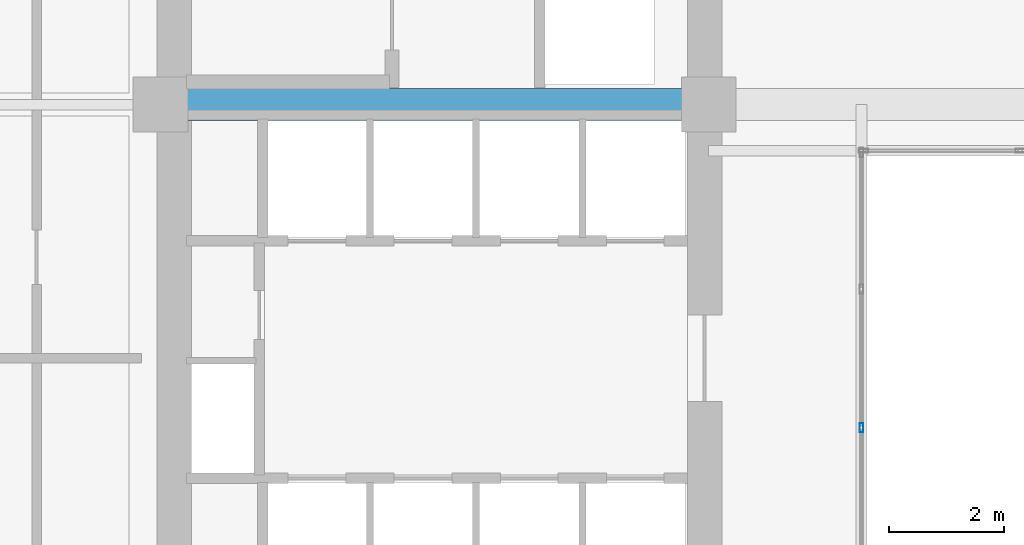
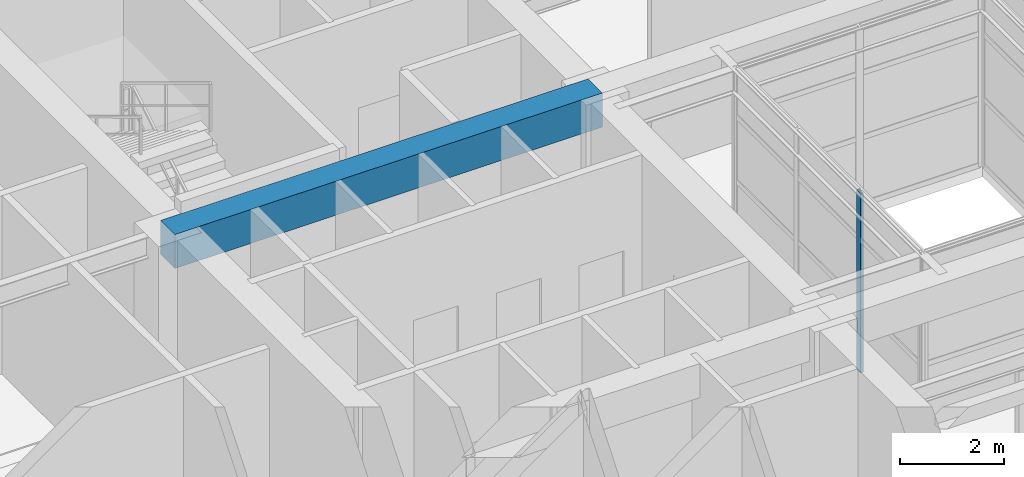
# One storey, part 3 of 13: 1 beam, 1 member, 1 element without a shape of its own.
"""IFC4 building model written with IfcOpenShell, lengths in metres."""

from ifc_helpers import new_model, si_unit, direction, frame, origin, origin_2d, place, context, subcontext, project, spatial, rectangle, hollow_rectangle, extrude, material, layer, layer_set, material_profile, profile_set, type_object, element, aggregate, save


model = new_model("IFC4")

# Units and contexts
model_context = context("Model", 3, precision=1e-05, world=origin(), true_north=direction((0.0, 1.0)))
body_context = subcontext(model_context, "Body", "Model", "MODEL_VIEW")
ifc_project = project(units=[si_unit("LENGTHUNIT", "METRE"), si_unit("AREAUNIT", "SQUARE_METRE"), si_unit("VOLUMEUNIT", "CUBIC_METRE"), si_unit("PLANEANGLEUNIT", "RADIAN"), si_unit("MASSUNIT", "GRAM", prefix="KILO")], contexts=[model_context])

# Site, building, storey
site_placement = place(None, origin())
site = spatial("IfcSite", under=ifc_project, at=site_placement, CompositionType="ELEMENT")
building_placement = place(site_placement, origin())
building = spatial("IfcBuilding", under=site, at=building_placement, Name="Kundavana Baori Tower", CompositionType="ELEMENT")
storey_placement = place(building_placement, frame((0.0, 0.0, 21.5)))
storey = spatial("IfcBuildingStorey", under=building, at=storey_placement, Name="L04", CompositionType="ELEMENT", Elevation=21.5)

# Beam
ifc_material_1 = material(Name="Concrete C50/60", Category="concrete")
ifc_material_profile_1 = material_profile(ifc_material_1, rectangle(XDim=0.550048828125, YDim=0.800048828125, at=origin_2d()), Name="RC BM 550x800")
ifc_profile_set_1 = profile_set([ifc_material_profile_1], Name="Concrete C50/60")
beam_type = type_object("IfcBeamType", Name="BM-RC-800", PredefinedType="BEAM", material=ifc_profile_set_1)
beam_placement = place(storey_placement, frame((15.449951171875, 33.0, 3.820068359375), z_axis=(1.0, 0.0, 0.0), x_axis=(0.0, 1.0, 0.0)))
element("IfcBeam", 1, at=beam_placement, inside=storey, type_object=beam_type, Name="L04 Primary Grid Girder GX-3-1", PredefinedType="BEAM", context=body_context, shape_type="SweptSolid", body=[
    extrude(rectangle(XDim=0.550048828125, YDim=0.800048828125, at=origin_2d()), origin(), (0.0, 0.0, 1.0), 9.5),
])

# Curtain wall, member
ifc_material_2 = material(Name="Thermally Broken Anodised Aluminium Framing", Category="aluminium")
ifc_layer = layer(ifc_material_2, 0.175048828125, Name="CW-SYS-2")
ifc_layer_set = layer_set([ifc_layer], Name="Thermally Broken Anodised Aluminium Framing")
curtain_wall_type = type_object("IfcCurtainWallType", Name="CW-SYS-2", PredefinedType="NOTDEFINED", material=ifc_layer_set)
curtain_wall_placement = place(storey_placement, origin())
curtain_wall = element("IfcCurtainWall", 2, at=curtain_wall_placement, inside=storey, type_object=curtain_wall_type, Name="L04 Atrium Glazed Curtain Wall W", PredefinedType="NOTDEFINED")
ifc_material_3 = material(Name="Thermally Broken Anodised Aluminium Framing", Category="aluminium")
ifc_material_profile_2 = material_profile(ifc_material_3, hollow_rectangle(XDim=0.06494140625, YDim=0.159912109375, WallThickness=0.00390625, at=origin_2d()), Name="CW-MULL-160")
ifc_profile_set_2 = profile_set([ifc_material_profile_2], Name="Thermally Broken Anodised Aluminium Framing")
member_type = type_object("IfcMemberType", Name="CW-MULL-160", PredefinedType="MULLION", material=ifc_profile_set_2)
member_placement = place(storey_placement, frame((27.60009765625, 27.39990234375, 0.0), z_axis=(0.0, 0.0, 1.0), x_axis=(1.0, 0.0, 0.0)))
member = element("IfcMember", 3, at=member_placement, type_object=member_type, Name="CW2 mullion 3", PredefinedType="MULLION", context=body_context, shape_type="SweptSolid", body=[
    extrude(hollow_rectangle(XDim=0.06494140625, YDim=0.159912109375, WallThickness=0.00390625, at=origin_2d()), origin(), (0.0, 0.0, 1.0), 4.219970703125),
])
aggregate(curtain_wall, [member])

save(model, "model.ifc")
